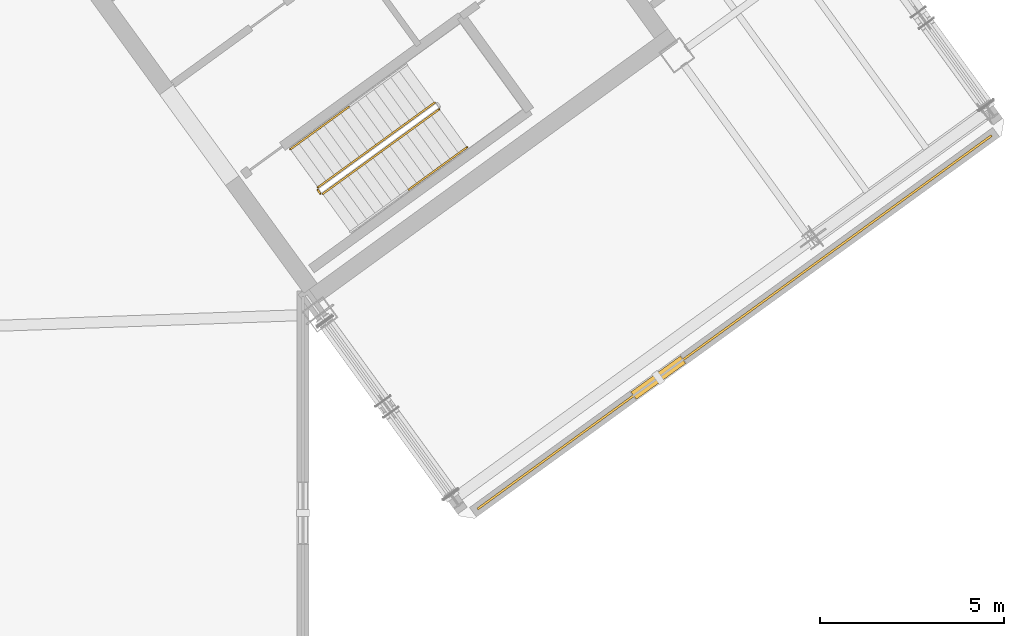
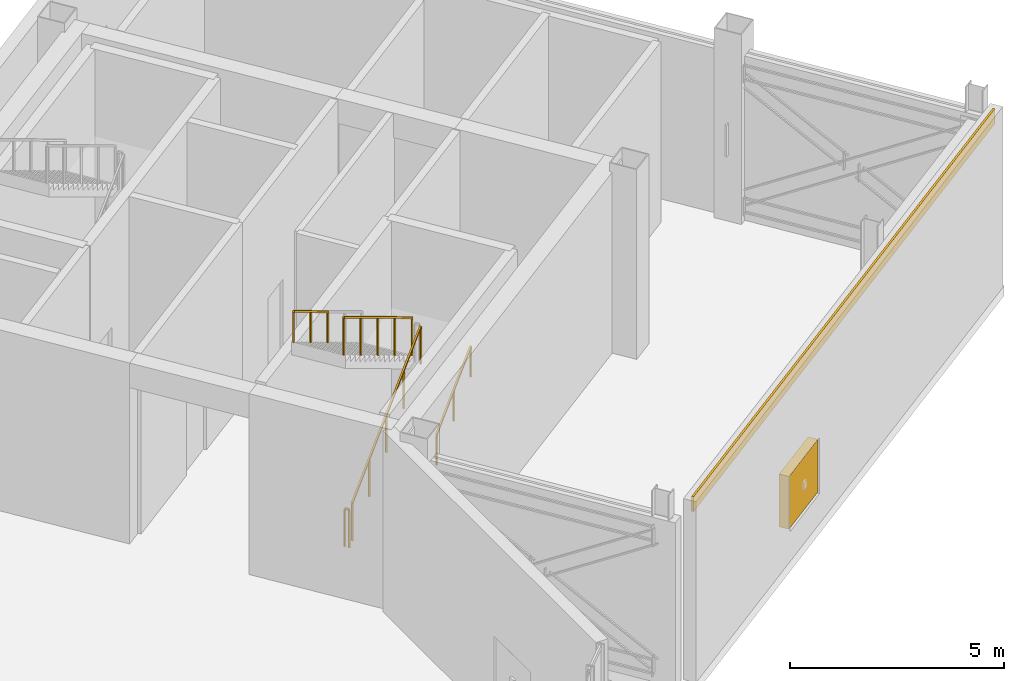
# One storey, part 30 of 32: 5 railings, 1 covering, 1 shading device.
"""IFC4 building model written with IfcOpenShell, lengths in metres."""

from ifc_helpers import new_model, si_unit, direction, frame, origin, origin_2d, place, context, subcontext, project, spatial, rectangle, extrude, source, transform, mapped, material, layer, layer_set, type_object, element, save


model = new_model("IFC4")

# Units and contexts
model_context = context("Model", 3, precision=1e-05, world=origin(), true_north=direction((0.0, 1.0)))
body_context = subcontext(model_context, "Body", "Model", "MODEL_VIEW")
ifc_project = project(units=[si_unit("LENGTHUNIT", "METRE"), si_unit("AREAUNIT", "SQUARE_METRE"), si_unit("VOLUMEUNIT", "CUBIC_METRE"), si_unit("PLANEANGLEUNIT", "RADIAN"), si_unit("MASSUNIT", "GRAM", prefix="KILO")], contexts=[model_context])

# Site, building, storey
site_placement = place(None, origin())
site = spatial("IfcSite", under=ifc_project, at=site_placement, CompositionType="ELEMENT")
building_placement = place(site_placement, origin())
building = spatial("IfcBuilding", under=site, at=building_placement, Name="Tlacorven Tower", CompositionType="ELEMENT")
storey_placement = place(building_placement, frame((0.0, 0.0, 245.699951171875)))
storey = spatial("IfcBuildingStorey", under=building, at=storey_placement, Name="L62", CompositionType="ELEMENT", Elevation=245.699951171875)

# Covering
ifc_material_1 = material(Name="Precast concrete C45/55", Category="concrete")
ifc_layer = layer(ifc_material_1, 0.06005859375)
ifc_layer_set = layer_set([ifc_layer], Name="Precast concrete C45/55")
covering_type = type_object("IfcCoveringType", Name="CV-CLD-TERC", PredefinedType="CLADDING", material=ifc_layer_set)
shared_shape_1 = source(origin(), body_context, "Body", "SweptSolid", [
    extrude(rectangle(XDim=17.287353515625, YDim=0.06005859375, at=origin_2d()), origin(), (0.0, 0.0, 1.0), 0.419921875),
])
covering_placement = place(storey_placement, frame((63.9833984375, 12.562255859375, 4.72998046875), z_axis=(0.0, 0.0, 1.0), x_axis=(-0.809017097486, -0.587785110372, 0.0)))
element("IfcCovering", 1, at=covering_placement, inside=storey, type_object=covering_type, Name="L62 Masonry-Frame Spandrel Cladding 6", PredefinedType="CLADDING", context=body_context, shape_type="MappedRepresentation", body=[
    mapped(shared_shape_1, transform((0.0, 0.0, 0.0), scale=1.0)),
])

# Shading device
ifc_material_2 = material(Name="Anodised bronze aluminium acoustic louvre", Category="aluminium")
shading_device_type = type_object("IfcShadingDeviceType", Name="SH-LVR-WND", PredefinedType="JALOUSIE", material=ifc_material_2)
shared_shape_2 = source(origin(), body_context, "Body", "SweptSolid", [
    extrude(rectangle(XDim=1.659912109375, YDim=0.25, at=origin_2d()), origin(), (0.0, 0.0, 1.0), 1.5),
])
shading_device_placement = place(storey_placement, frame((61.909912109375, 11.0556640625, 0.900146484375), z_axis=(0.0, 0.0, 1.0), x_axis=(-0.809017097486, -0.587785110372, 0.0)))
element("IfcShadingDevice", 2, at=shading_device_placement, inside=storey, type_object=shading_device_type, Name="L62 Storm-Resistant Acoustic Louvre Bank 6.1", PredefinedType="JALOUSIE", context=body_context, shape_type="MappedRepresentation", body=[
    mapped(shared_shape_2, transform((0.0, 0.0, 0.0), scale=1.0)),
])

# Railings
ifc_material_3 = material(Name="Aluminium and painted steel balustrade", Category="steel")
railing_type_1 = type_object("IfcRailingType", Name="RL-GRD-1100", PredefinedType="GUARDRAIL", material=ifc_material_3)
shared_shape_3 = source(origin(), body_context, "Body", "SweptSolid", [
    extrude(rectangle(XDim=0.048095703125, YDim=0.048095703125, at=origin_2d()), frame((0.0, 0.0, 1.076171875), z_axis=(-0.587567097037, 0.809175448515, 0.0), x_axis=(-0.809175448515, -0.587567097037, 0.0)), (0.0, 0.0, 1.0), 0.1201171875),
    extrude(rectangle(XDim=0.0419921875, YDim=0.0419921875, at=origin_2d()), origin(), (0.0, 0.0, 1.0), 1.052001953125),
    extrude(rectangle(XDim=0.0419921875, YDim=0.0419921875, at=origin_2d()), frame((-0.070556640625, 0.09716796875, 0.0)), (0.0, 0.0, 1.0), 1.052001953125),
])
railing_1_placement = place(storey_placement, frame((52.71142578125, 16.065673828125, 0.0)))
element("IfcRailing", 3, at=railing_1_placement, inside=storey, type_object=railing_type_1, Name="L62 ST-E2 stair guard 4", PredefinedType="GUARDRAIL", context=body_context, shape_type="MappedRepresentation", body=[
    mapped(shared_shape_3, transform((0.0, 0.0, 0.0), scale=1.0)),
])
shared_shape_4 = source(origin(), body_context, "Body", "SweptSolid", [
    extrude(rectangle(XDim=0.048095703125, YDim=0.048095703125, at=origin_2d()), frame((0.0, 0.0, 1.076171875), z_axis=(-0.680542536252, -0.494401841002, 0.540766748206), x_axis=(0.587753152711, -0.809040315113, 0.0)), (0.0, 0.0, 1.0), 4.66015625),
    extrude(rectangle(XDim=0.0419921875, YDim=0.0419921875, at=origin_2d()), origin(), (0.0, 0.0, 1.0), 1.052001953125),
    extrude(rectangle(XDim=0.0419921875, YDim=0.0419921875, at=origin_2d()), frame((-0.79296875, -0.575927734375, 0.6298828125)), (0.0, 0.0, 1.0), 1.052001953125),
    extrude(rectangle(XDim=0.0419921875, YDim=0.0419921875, at=origin_2d()), frame((-1.585693359375, -1.15185546875, 1.260009765625)), (0.0, 0.0, 1.0), 1.052001953125),
    extrude(rectangle(XDim=0.0419921875, YDim=0.0419921875, at=origin_2d()), frame((-2.37841796875, -1.72802734375, 1.89013671875)), (0.0, 0.0, 1.0), 1.052001953125),
    extrude(rectangle(XDim=0.0419921875, YDim=0.0419921875, at=origin_2d()), frame((-3.17138671875, -2.303955078125, 2.52001953125)), (0.0, 0.0, 1.0), 1.052001953125),
])
railing_2_placement = place(storey_placement, frame((55.8232421875, 18.53662109375, 2.880126953125)))
element("IfcRailing", 4, at=railing_2_placement, inside=storey, type_object=railing_type_1, Name="L62 ST-E2 stair guard 3", PredefinedType="GUARDRAIL", context=body_context, shape_type="MappedRepresentation", body=[
    mapped(shared_shape_4, transform((0.0, 0.0, 0.0), scale=1.0)),
])
railing_type_2 = type_object("IfcRailingType", Name="RL-HND-0900", PredefinedType="HANDRAIL", material=ifc_material_3)
shared_shape_5 = source(origin(), body_context, "Body", "SweptSolid", [
    extrude(rectangle(XDim=0.048095703125, YDim=0.048095703125, at=origin_2d()), frame((0.0, 0.0, 0.8759765625), z_axis=(-0.680524908878, -0.494441423402, 0.540752741297), x_axis=(0.587793916777, -0.809010699188, 0.0)), (0.0, 0.0, 1.0), 2.330078125),
    extrude(rectangle(XDim=0.0419921875, YDim=0.0419921875, at=origin_2d()), origin(), (0.0, 0.0, 1.0), 0.851806640625),
    extrude(rectangle(XDim=0.0419921875, YDim=0.0419921875, at=origin_2d()), frame((-0.79296875, -0.576171875, 0.6298828125)), (0.0, 0.0, 1.0), 0.851806640625),
    extrude(rectangle(XDim=0.0419921875, YDim=0.0419921875, at=origin_2d()), frame((-1.585693359375, -1.152099609375, 1.260009765625)), (0.0, 0.0, 1.0), 0.851806640625),
])
railing_3_placement = place(storey_placement, frame((53.4853515625, 18.420166015625, 4.14013671875)))
element("IfcRailing", 5, at=railing_3_placement, inside=storey, type_object=railing_type_2, Name="L62 ST-E2 stair handrail 4", PredefinedType="HANDRAIL", context=body_context, shape_type="MappedRepresentation", body=[
    mapped(shared_shape_5, transform((0.0, 0.0, 0.0), scale=1.0)),
])
shared_shape_6 = source(origin(), body_context, "Body", "SweptSolid", [
    extrude(rectangle(XDim=0.048095703125, YDim=0.048095703125, at=origin_2d()), frame((0.0, 0.0, 1.076171875), z_axis=(0.680542536252, 0.494401841002, 0.540766748206), x_axis=(-0.587753152711, 0.809040315113, 0.0)), (0.0, 0.0, 1.0), 4.66015625),
    extrude(rectangle(XDim=0.0419921875, YDim=0.0419921875, at=origin_2d()), origin(), (0.0, 0.0, 1.0), 1.052001953125),
    extrude(rectangle(XDim=0.0419921875, YDim=0.0419921875, at=origin_2d()), frame((0.79296875, 0.575927734375, 0.6298828125)), (0.0, 0.0, 1.0), 1.052001953125),
    extrude(rectangle(XDim=0.0419921875, YDim=0.0419921875, at=origin_2d()), frame((1.585693359375, 1.15185546875, 1.260009765625)), (0.0, 0.0, 1.0), 1.052001953125),
    extrude(rectangle(XDim=0.0419921875, YDim=0.0419921875, at=origin_2d()), frame((2.37841796875, 1.72802734375, 1.89013671875)), (0.0, 0.0, 1.0), 1.052001953125),
    extrude(rectangle(XDim=0.0419921875, YDim=0.0419921875, at=origin_2d()), frame((3.17138671875, 2.303955078125, 2.52001953125)), (0.0, 0.0, 1.0), 1.052001953125),
])
railing_4_placement = place(storey_placement, frame((52.78125, 16.0546875, 0.179931640625)))
element("IfcRailing", 6, at=railing_4_placement, inside=storey, type_object=railing_type_1, Name="L62 ST-E2 stair guard 1", PredefinedType="GUARDRAIL", context=body_context, shape_type="MappedRepresentation", body=[
    mapped(shared_shape_6, transform((0.0, 0.0, 0.0), scale=1.0)),
])
shared_shape_7 = source(origin(), body_context, "Body", "SweptSolid", [
    extrude(rectangle(XDim=0.048095703125, YDim=0.048095703125, at=origin_2d()), frame((0.0, 0.0, 0.8759765625), z_axis=(0.680468649714, 0.494476679704, 0.540791299842), x_axis=(-0.587853152907, 0.808967657337, 0.0)), (0.0, 0.0, 1.0), 2.329833984375),
    extrude(rectangle(XDim=0.0419921875, YDim=0.0419921875, at=origin_2d()), origin(), (0.0, 0.0, 1.0), 0.851806640625),
    extrude(rectangle(XDim=0.0419921875, YDim=0.0419921875, at=origin_2d()), frame((0.792724609375, 0.576171875, 0.6298828125)), (0.0, 0.0, 1.0), 0.851806640625),
    extrude(rectangle(XDim=0.0419921875, YDim=0.0419921875, at=origin_2d()), frame((1.58544921875, 1.152099609375, 1.260009765625)), (0.0, 0.0, 1.0), 0.851806640625),
])
railing_5_placement = place(storey_placement, frame((55.119384765625, 16.171142578125, 1.43994140625)))
element("IfcRailing", 7, at=railing_5_placement, inside=storey, type_object=railing_type_2, Name="L62 ST-E2 stair handrail 2", PredefinedType="HANDRAIL", context=body_context, shape_type="MappedRepresentation", body=[
    mapped(shared_shape_7, transform((0.0, 0.0, 0.0), scale=1.0)),
])

save(model, "model.ifc")
